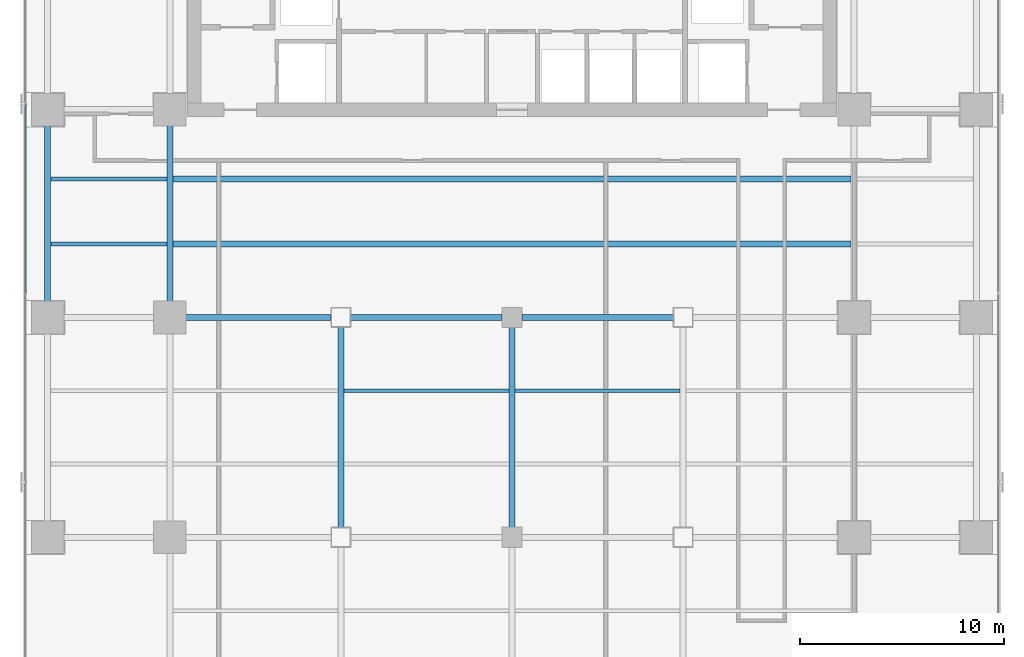
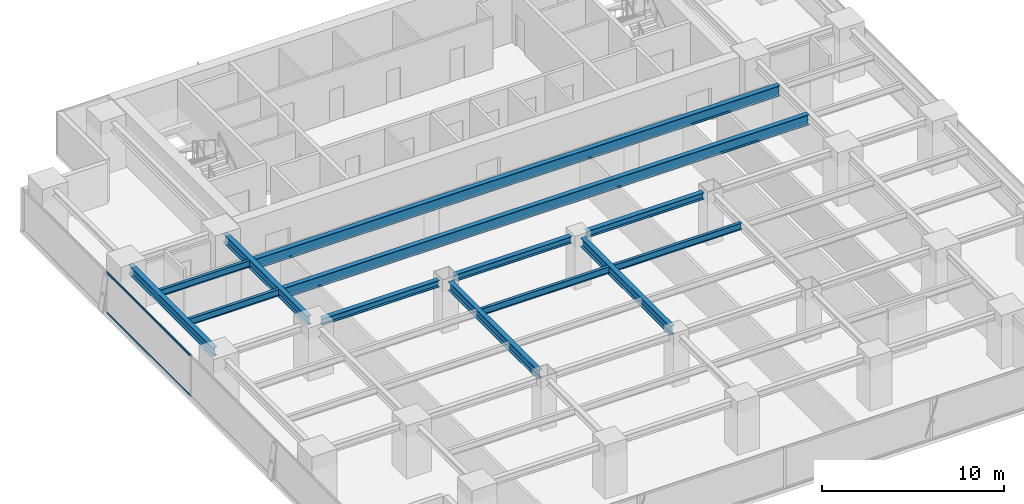
# One storey, part 8 of 27: 13 beams, 2 members, 1 element without a shape of its own.
"""IFC4 building model written with IfcOpenShell, lengths in metres."""

import ifcopenshell
import ifcopenshell.guid

model = None  # the IFC model being written
_history = None  # IfcOwnerHistory: only IFC2X3 demands one
_inside = {}  # id of a spatial element -> (the spatial element, [elements in it])
_under = {}  # id of a project, library or spatial element -> (it, [spatial elements below it])
_declared = {}  # id of a project -> (the project, [libraries it declares])
_typed = {}  # id of a type object -> (the type object, [elements of that type])
_made_of = {}  # id of a material, layer set ... -> (it, [elements and type objects made of it])


def new_model(schema):
    """Start an empty IFC model of exactly this schema.

    Asked for "IFC4X3", IfcOpenShell would pick the latest addendum, in which some entities
    have other attributes; the version numbers below select the first issue.
    IFC2X3 requires an IfcOwnerHistory on every rooted entity: one is made here for all.
    """
    global model, _history
    if schema == "IFC4X3":
        model = ifcopenshell.file(schema_version=(4, 3, 0, 0))
    else:
        model = ifcopenshell.file(schema=schema)
    _inside.clear()
    _under.clear()
    _declared.clear()
    _typed.clear()
    _made_of.clear()
    _history = None
    if model.schema == "IFC2X3":
        org = make("IfcOrganization", Name="unknown")
        user = make(
            "IfcPersonAndOrganization",
            ThePerson=make("IfcPerson", FamilyName="unknown"),
            TheOrganization=org,
        )
        app = make(
            "IfcApplication",
            ApplicationDeveloper=org,
            Version="unknown",
            ApplicationFullName="unknown",
            ApplicationIdentifier="unknown",
        )
        _history = make(
            "IfcOwnerHistory",
            OwningUser=user,
            OwningApplication=app,
            ChangeAction="ADDED",
            CreationDate=0,
        )
    return model


def make(cls, **values):
    """One entity of the class cls with the attributes given. An attribute that is None is left unset."""
    return model.create_entity(
        cls, **{name: value for name, value in values.items() if value is not None}
    )


def rooted(cls, **values):
    """An entity with a GlobalId (a new one), such as an element, a storey or a relation."""
    return make(cls, GlobalId=ifcopenshell.guid.new(), OwnerHistory=_history, **values)


def si_unit(unit_type, name, prefix=None):
    """IfcSIUnit, for example si_unit("LENGTHUNIT", "METRE", prefix="MILLI")."""
    return make("IfcSIUnit", UnitType=unit_type, Prefix=prefix, Name=name)


def assignment(units):
    """IfcUnitAssignment: the units of a project."""
    return None if units is None else make("IfcUnitAssignment", Units=units)


def point(xyz):
    """IfcCartesianPoint."""
    return None if xyz is None else make("IfcCartesianPoint", Coordinates=xyz)


def direction(xyz):
    """IfcDirection."""
    return None if xyz is None else make("IfcDirection", DirectionRatios=xyz)


def frame(location, z_axis=None, x_axis=None):
    """IfcAxis2Placement3D, a coordinate frame: its origin and axes. An axis left out is left unset."""
    return make(
        "IfcAxis2Placement3D",
        Location=point(location),
        Axis=direction(z_axis),
        RefDirection=direction(x_axis),
    )


def frame_2d(location, x_axis=None):
    """IfcAxis2Placement2D, a coordinate frame in the plane: its origin and x axis."""
    return make(
        "IfcAxis2Placement2D", Location=point(location), RefDirection=direction(x_axis)
    )


def origin():
    """The frame at (0, 0, 0) with its axes left unset."""
    return frame((0.0, 0.0, 0.0))


def origin_2d():
    """The frame at (0, 0) in the plane with its x axis left unset."""
    return frame_2d((0.0, 0.0))


def place(relative_to, where):
    """IfcLocalPlacement: puts the frame where relative to a parent placement (None: the world)."""
    return make(
        "IfcLocalPlacement", PlacementRelTo=relative_to, RelativePlacement=where
    )


def context(
    kind, dimensions, precision=None, world=None, true_north=None, identifier=None
):
    """IfcGeometricRepresentationContext, for example the 3D "Model" context."""
    return make(
        "IfcGeometricRepresentationContext",
        ContextIdentifier=identifier,
        ContextType=kind,
        CoordinateSpaceDimension=dimensions,
        Precision=precision,
        WorldCoordinateSystem=world,
        TrueNorth=true_north,
    )


def subcontext(parent, identifier, kind, view, scale=None):
    """IfcGeometricRepresentationSubContext, for example "Body" below "Model"."""
    return make(
        "IfcGeometricRepresentationSubContext",
        ContextIdentifier=identifier,
        ContextType=kind,
        ParentContext=parent,
        TargetScale=scale,
        TargetView=view,
    )


def project(units=None, contexts=None):
    """IfcProject with its units and contexts."""
    return rooted(
        "IfcProject",
        Name="project",
        RepresentationContexts=contexts,
        UnitsInContext=assignment(units),
    )


def spatial(cls, under=None, at=None, **own):
    """A site, building, storey or space (cls), placed at a placement, below another one or the project."""
    s = rooted(cls, ObjectPlacement=at, **own)
    if under is not None:
        _under.setdefault(under.id(), (under, []))[1].append(s)
    return s


def profile(cls, at=None, kind="AREA", **sizes):
    """A parametric profile (cls). Its sizes go by their IFC names, for example OverallWidth=200.0."""
    return make(cls, ProfileType=kind, Position=at, **sizes)


def hollow_rectangle(**sizes):
    """IfcRectangleHollowProfileDef."""
    return profile("IfcRectangleHollowProfileDef", **sizes)


def i_section(**sizes):
    """IfcIShapeProfileDef."""
    return profile("IfcIShapeProfileDef", **sizes)


def extrude(swept, where, along, depth):
    """IfcExtrudedAreaSolid: the profile swept, set in the frame where, extruded along a direction by depth."""
    return make(
        "IfcExtrudedAreaSolid",
        SweptArea=swept,
        Position=where,
        ExtrudedDirection=direction(along),
        Depth=depth,
    )


def shape(context_of_items, identifier, shape_type, items):
    """IfcShapeRepresentation: the items that make up one representation, for example the "Body"."""
    return make(
        "IfcShapeRepresentation",
        ContextOfItems=context_of_items,
        RepresentationIdentifier=identifier,
        RepresentationType=shape_type,
        Items=items,
    )


def source(mapping_origin, context_of_items, identifier, shape_type, items):
    """IfcRepresentationMap: a shape defined once, which mapped items show again and again."""
    return make(
        "IfcRepresentationMap",
        MappingOrigin=mapping_origin,
        MappedRepresentation=shape(context_of_items, identifier, shape_type, items),
    )


def transform(
    local_origin,
    x_axis=None,
    y_axis=None,
    z_axis=None,
    scale=None,
    scale2=None,
    scale3=None,
    uniform=True,
):
    """IfcCartesianTransformationOperator3D, or its non-uniform kind. x_axis, y_axis, z_axis: its Axis1, 2, 3."""
    if uniform:
        return make(
            "IfcCartesianTransformationOperator3D",
            Axis1=direction(x_axis),
            Axis2=direction(y_axis),
            LocalOrigin=point(local_origin),
            Scale=scale,
            Axis3=direction(z_axis),
        )
    return make(
        "IfcCartesianTransformationOperator3DnonUniform",
        Axis1=direction(x_axis),
        Axis2=direction(y_axis),
        LocalOrigin=point(local_origin),
        Scale=scale,
        Axis3=direction(z_axis),
        Scale2=scale2,
        Scale3=scale3,
    )


def mapped(mapping_source, mapping_target):
    """IfcMappedItem: shows the shape of a source again, moved by a transform."""
    return make(
        "IfcMappedItem", MappingSource=mapping_source, MappingTarget=mapping_target
    )


def material(Name=None, Category=None):
    """IfcMaterial."""
    return make("IfcMaterial", Name=Name, Category=Category)


def layer(
    of_material, thickness, ventilated=None, Name=None, Category=None, Priority=None
):
    """IfcMaterialLayer: one layer of a wall or slab, of a material (None: an air gap)."""
    return make(
        "IfcMaterialLayer",
        Material=of_material,
        LayerThickness=thickness,
        IsVentilated=ventilated,
        Name=Name,
        Category=Category,
        Priority=Priority,
    )


def layer_set(layers, Name=None):
    """IfcMaterialLayerSet."""
    return make("IfcMaterialLayerSet", MaterialLayers=layers, LayerSetName=Name)


def material_profile(
    of_material, cross_section, Name=None, Category=None, Priority=None
):
    """IfcMaterialProfile: a cross section and its material."""
    return make(
        "IfcMaterialProfile",
        Name=Name,
        Material=of_material,
        Profile=cross_section,
        Priority=Priority,
        Category=Category,
    )


def profile_set(profiles, Name=None, composite=None):
    """IfcMaterialProfileSet."""
    return make(
        "IfcMaterialProfileSet",
        Name=Name,
        MaterialProfiles=profiles,
        CompositeProfile=composite,
    )


def made_of(thing, what):
    """Note that an element or type object is made of a material, layer set ...; save() writes the relation."""
    if what is not None:
        _made_of.setdefault(what.id(), (what, []))[1].append(thing)
    return thing


def type_object(cls, material=None, **own):
    """A type object (cls), such as IfcWallType, which elements share."""
    return made_of(rooted(cls, **own), material)


def element(
    cls,
    number,
    at=None,
    inside=None,
    cuts=None,
    type_object=None,
    material=None,
    context=None,
    identifier="Body",
    shape_type=None,
    held_by="IfcProductDefinitionShape",
    body=None,
    shapes=None,
    **own,
):
    """One element of the class cls, such as IfcWall. Its Tag is "e" and its number.

    at: its placement. inside: the storey or other place that contains it. cuts: it is an
    opening in that element (IfcRelVoidsElement). A single representation is given by context,
    identifier, shape_type and body (its items); several are given by shapes. held_by: the class
    of the entity that holds the representations. save() writes the other relations.
    """
    e = rooted(cls, Tag="e%d" % number, ObjectPlacement=at, **own)
    if body is not None:
        shapes = [shape(context, identifier, shape_type, body)]
    if shapes is not None:
        e.Representation = make(held_by, Representations=shapes)
    if inside is not None:
        _inside.setdefault(inside.id(), (inside, []))[1].append(e)
    if cuts is not None:
        rooted(
            "IfcRelVoidsElement", RelatingBuildingElement=cuts, RelatedOpeningElement=e
        )
    if type_object is not None:
        _typed.setdefault(type_object.id(), (type_object, []))[1].append(e)
    return made_of(e, material)


def aggregate(whole, parts):
    """IfcRelAggregates: a whole, such as a stair, and the parts it consists of."""
    return rooted("IfcRelAggregates", RelatingObject=whole, RelatedObjects=parts)


def save(model, path):
    """Write the relations noted so far, then the file.

    IfcRelAggregates (storeys below a building ...), IfcRelContainedInSpatialStructure (elements
    in a storey), IfcRelDefinesByType, IfcRelAssociatesMaterial and IfcRelDeclares: one each for
    every whole, place, type object, material and project.
    """
    for whole, parts in _under.values():
        aggregate(whole, parts)
    for where, things in _inside.values():
        rooted(
            "IfcRelContainedInSpatialStructure",
            RelatedElements=things,
            RelatingStructure=where,
        )
    for kind, things in _typed.values():
        rooted("IfcRelDefinesByType", RelatedObjects=things, RelatingType=kind)
    for what, things in _made_of.values():
        rooted("IfcRelAssociatesMaterial", RelatedObjects=things, RelatingMaterial=what)
    for by, libraries in _declared.values():
        rooted("IfcRelDeclares", RelatingContext=by, RelatedDefinitions=libraries)
    model.write(path)


model = new_model("IFC4")

# Units and contexts
model_context = context("Model", 3, precision=1e-05, world=origin(), true_north=direction((0.0, 1.0)))
body_context = subcontext(model_context, "Body", "Model", "MODEL_VIEW")
ifc_project = project(units=[si_unit("LENGTHUNIT", "METRE"), si_unit("AREAUNIT", "SQUARE_METRE"), si_unit("VOLUMEUNIT", "CUBIC_METRE"), si_unit("PLANEANGLEUNIT", "RADIAN"), si_unit("MASSUNIT", "GRAM", prefix="KILO")], contexts=[model_context])

# Site, building, storey
site_placement = place(None, origin())
site = spatial("IfcSite", under=ifc_project, at=site_placement, CompositionType="ELEMENT")
building_placement = place(site_placement, origin())
building = spatial("IfcBuilding", under=site, at=building_placement, Name="Sumidabori Civic Tower", CompositionType="ELEMENT")
storey_placement = place(building_placement, frame((0.0, 0.0, 160.39990234375)))
storey = spatial("IfcBuildingStorey", under=building, at=storey_placement, Name="L41", CompositionType="ELEMENT", Elevation=160.39990234375)

# Beams
ifc_material_1 = material(Name="Steel SN490", Category="steel")
ifc_material_profile_1 = material_profile(ifc_material_1, i_section(OverallWidth=0.300048828125, OverallDepth=0.60009765625, WebThickness=0.015380859375, FlangeThickness=0.030029296875, at=origin_2d()), Name="HE 600 B")
ifc_profile_set_1 = profile_set([ifc_material_profile_1], Name="Steel SN490")
beam_type_1 = type_object("IfcBeamType", Name="BM-GIRD-600", PredefinedType="BEAM", material=ifc_profile_set_1)
shared_shape_1 = source(origin(), body_context, "Body", "SweptSolid", [
    extrude(i_section(OverallWidth=0.300048828125, OverallDepth=0.60009765625, WebThickness=0.015380859375, FlangeThickness=0.030029296875, at=origin_2d()), origin(), (0.0, 0.0, 1.0), 9.840087890625),
])
for number, where, z_axis, x_axis, name in (
    (1, (-8.39990234375, -10.320068359375, 3.080078125), (0.0, 1.0, 0.0), (-1.0, 0.0, 0.0), "Primary Girder L41 GY-27"),
    (2, (0.0, -10.320068359375, 3.080078125), (0.0, 1.0, 0.0), (-1.0, 0.0, 0.0), "Primary Girder L41 GY-29"),
):
    element("IfcBeam", number, at=place(storey_placement, frame(where, z_axis=z_axis, x_axis=x_axis)), inside=storey, type_object=beam_type_1, Name=name, PredefinedType="BEAM", context=body_context, shape_type="MappedRepresentation", body=[
        mapped(shared_shape_1, transform((0.0, 0.0, 0.0), x_axis=(1.0, 0.0, 0.0), y_axis=(0.0, 1.0, 0.0), z_axis=(0.0, 0.0, 1.0), scale=1.0)),
    ])
shared_shape_2 = source(origin(), body_context, "Body", "SweptSolid", [
    extrude(i_section(OverallWidth=0.300048828125, OverallDepth=0.60009765625, WebThickness=0.015380859375, FlangeThickness=0.030029296875, at=origin_2d()), origin(), (0.0, 0.0, 1.0), 9.239990234375),
])
for number, where, z_axis, x_axis, name in (
    (3, (-22.800048828125, 0.47998046875, 3.080078125), (0.0, 1.0, 0.0), (-1.0, 0.0, 0.0), "Primary Girder L41 GY-20"),
    (4, (-16.800048828125, 0.47998046875, 3.080078125), (0.0, 1.0, 0.0), (-1.0, 0.0, 0.0), "Primary Girder L41 GY-24"),
):
    element("IfcBeam", number, at=place(storey_placement, frame(where, z_axis=z_axis, x_axis=x_axis)), inside=storey, type_object=beam_type_1, Name=name, PredefinedType="BEAM", context=body_context, shape_type="MappedRepresentation", body=[
        mapped(shared_shape_2, transform((0.0, 0.0, 0.0), x_axis=(1.0, 0.0, 0.0), y_axis=(0.0, 1.0, 0.0), z_axis=(0.0, 0.0, 1.0), scale=1.0)),
    ])
ifc_material_profile_2 = material_profile(ifc_material_1, i_section(OverallWidth=0.300048828125, OverallDepth=0.699951171875, WebThickness=0.01708984375, FlangeThickness=0.031982421875, at=origin_2d()), Name="HE 700 B")
ifc_profile_set_2 = profile_set([ifc_material_profile_2], Name="Steel SN490")
beam_type_2 = type_object("IfcBeamType", Name="BM-GIRD-700", PredefinedType="BEAM", material=ifc_profile_set_2)
shared_shape_3 = source(origin(), body_context, "Body", "SweptSolid", [
    extrude(i_section(OverallWidth=0.300048828125, OverallDepth=0.699951171875, WebThickness=0.01708984375, FlangeThickness=0.031982421875, at=origin_2d()), origin(), (0.0, 0.0, 1.0), 33.2998046875),
])
for number, where, z_axis, x_axis, name in (
    (5, (-16.64990234375, 3.60009765625, 3.030029296875), (1.0, 0.0, 0.0), (0.0, 1.0, 0.0), "North Bay Floor Beam L41 JSTN-47"),
    (6, (-16.64990234375, 6.800048828125, 3.030029296875), (1.0, 0.0, 0.0), (0.0, 1.0, 0.0), "North Bay Floor Beam L41 JSTN-48"),
):
    element("IfcBeam", number, at=place(storey_placement, frame(where, z_axis=z_axis, x_axis=x_axis)), inside=storey, type_object=beam_type_2, Name=name, PredefinedType="BEAM", context=body_context, shape_type="MappedRepresentation", body=[
        mapped(shared_shape_3, transform((0.0, 0.0, 0.0), x_axis=(1.0, 0.0, 0.0), y_axis=(0.0, 1.0, 0.0), z_axis=(0.0, 0.0, 1.0), scale=1.0)),
    ])
ifc_material_profile_3 = material_profile(ifc_material_1, i_section(OverallWidth=0.18994140625, OverallDepth=0.449951171875, WebThickness=0.009521484375, FlangeThickness=0.0146484375, at=origin_2d()), Name="IPE 450")
ifc_profile_set_3 = profile_set([ifc_material_profile_3], Name="Steel SN490")
beam_type_3 = type_object("IfcBeamType", Name="BM-JST-450", PredefinedType="JOIST", material=ifc_profile_set_3)
shared_shape_4 = source(origin(), body_context, "Body", "SweptSolid", [
    extrude(i_section(OverallWidth=0.18994140625, OverallDepth=0.449951171875, WebThickness=0.009521484375, FlangeThickness=0.0146484375, at=origin_2d()), origin(), (0.0, 0.0, 1.0), 5.699951171875),
])
for number, where, z_axis, x_axis, name in (
    (7, (-22.64990234375, 3.60009765625, 3.155029296875), (1.0, 0.0, 0.0), (0.0, 1.0, 0.0), "Outer Bay Floor Joist L41 JSTO-43"),
    (8, (-22.64990234375, 6.800048828125, 3.155029296875), (1.0, 0.0, 0.0), (0.0, 1.0, 0.0), "Outer Bay Floor Joist L41 JSTO-45"),
):
    element("IfcBeam", number, at=place(storey_placement, frame(where, z_axis=z_axis, x_axis=x_axis)), inside=storey, type_object=beam_type_3, Name=name, PredefinedType="JOIST", context=body_context, shape_type="MappedRepresentation", body=[
        mapped(shared_shape_4, transform((0.0, 0.0, 0.0), x_axis=(1.0, 0.0, 0.0), y_axis=(0.0, 1.0, 0.0), z_axis=(0.0, 0.0, 1.0), scale=1.0)),
    ])
shared_shape_5 = source(origin(), body_context, "Body", "SweptSolid", [
    extrude(i_section(OverallWidth=0.18994140625, OverallDepth=0.449951171875, WebThickness=0.009521484375, FlangeThickness=0.0146484375, at=origin_2d()), origin(), (0.0, 0.0, 1.0), 8.10009765625),
])
for number, where, z_axis, x_axis, name in (
    (9, (-8.25, -3.60009765625, 3.155029296875), (1.0, 0.0, 0.0), (0.0, 1.0, 0.0), "South Bay Floor Joist L41 JSTS-58"),
    (10, (0.14990234375, -3.60009765625, 3.155029296875), (1.0, 0.0, 0.0), (0.0, 1.0, 0.0), "South Bay Floor Joist L41 JSTS-59"),
):
    element("IfcBeam", number, at=place(storey_placement, frame(where, z_axis=z_axis, x_axis=x_axis)), inside=storey, type_object=beam_type_3, Name=name, PredefinedType="JOIST", context=body_context, shape_type="MappedRepresentation", body=[
        mapped(shared_shape_5, transform((0.0, 0.0, 0.0), x_axis=(1.0, 0.0, 0.0), y_axis=(0.0, 1.0, 0.0), z_axis=(0.0, 0.0, 1.0), scale=1.0)),
    ])
ifc_material_profile_4 = material_profile(ifc_material_1, i_section(OverallWidth=0.300048828125, OverallDepth=0.449951171875, WebThickness=0.013916015625, FlangeThickness=0.02587890625, at=origin_2d()), Name="HE 450 B")
ifc_profile_set_4 = profile_set([ifc_material_profile_4], Name="Steel SN490")
beam_type_4 = type_object("IfcBeamType", Name="BM-GIRD-450", PredefinedType="BEAM", material=ifc_profile_set_4)
shared_shape_6 = source(origin(), body_context, "Body", "SweptSolid", [
    extrude(i_section(OverallWidth=0.300048828125, OverallDepth=0.449951171875, WebThickness=0.013916015625, FlangeThickness=0.02587890625, at=origin_2d()), origin(), (0.0, 0.0, 1.0), 7.440185546875),
])
beam_placement = place(storey_placement, frame((-16.320068359375, 0.0, 3.155029296875), z_axis=(1.0, 0.0, 0.0), x_axis=(0.0, 1.0, 0.0)))
element("IfcBeam", 11, at=beam_placement, inside=storey, type_object=beam_type_4, Name="Primary Girder L41 GX-12", PredefinedType="BEAM", context=body_context, shape_type="MappedRepresentation", body=[
    mapped(shared_shape_6, transform((0.0, 0.0, 0.0), x_axis=(1.0, 0.0, 0.0), y_axis=(0.0, 1.0, 0.0), z_axis=(0.0, 0.0, 1.0), scale=1.0)),
])
shared_shape_7 = source(origin(), body_context, "Body", "SweptSolid", [
    extrude(i_section(OverallWidth=0.300048828125, OverallDepth=0.449951171875, WebThickness=0.013916015625, FlangeThickness=0.02587890625, at=origin_2d()), origin(), (0.0, 0.0, 1.0), 7.43994140625),
])
for number, where, z_axis, x_axis, name in (
    (12, (-7.919921875, 0.0, 3.155029296875), (1.0, 0.0, 0.0), (0.0, 1.0, 0.0), "Primary Girder L41 GX-13"),
    (13, (0.47998046875, 0.0, 3.155029296875), (1.0, 0.0, 0.0), (0.0, 1.0, 0.0), "Primary Girder L41 GX-14"),
):
    element("IfcBeam", number, at=place(storey_placement, frame(where, z_axis=z_axis, x_axis=x_axis)), inside=storey, type_object=beam_type_4, Name=name, PredefinedType="BEAM", context=body_context, shape_type="MappedRepresentation", body=[
        mapped(shared_shape_7, transform((0.0, 0.0, 0.0), x_axis=(1.0, 0.0, 0.0), y_axis=(0.0, 1.0, 0.0), z_axis=(0.0, 0.0, 1.0), scale=1.0)),
    ])

# Curtain wall, members
ifc_material_2 = material(Name="Anodised Bronze Aluminium AW-6063-T6", Category="aluminium")
ifc_layer = layer(ifc_material_2, 0.179931640625, Name="Anodised Bronze Aluminium AW-6063-T6")
ifc_layer_set = layer_set([ifc_layer], Name="Anodised Bronze Aluminium AW-6063-T6")
curtain_wall_type = type_object("IfcCurtainWallType", Name="CW-SYS-3", PredefinedType="NOTDEFINED", material=ifc_layer_set)
curtain_wall_placement = place(storey_placement, origin())
curtain_wall = element("IfcCurtainWall", 14, at=curtain_wall_placement, inside=storey, type_object=curtain_wall_type, Name="Curtain Wall CW:L41:R10", PredefinedType="NOTDEFINED")
ifc_material_profile_5 = material_profile(ifc_material_2, hollow_rectangle(XDim=0.06005859375, YDim=0.1298828125, WallThickness=0.0048828125, at=origin_2d()), Name="ALU TRANSOM 130x60")
ifc_profile_set_5 = profile_set([ifc_material_profile_5], Name="Anodised Bronze Aluminium AW-6063-T6")
member_type = type_object("IfcMemberType", Name="CW-TRN-130", PredefinedType="USERDEFINED", material=ifc_profile_set_5)
shared_shape_8 = source(origin(), body_context, "Body", "SweptSolid", [
    extrude(hollow_rectangle(XDim=0.06005859375, YDim=0.1298828125, WallThickness=0.0048828125, at=origin_2d()), origin(), (0.0, 0.0, 1.0), 9.219970703125),
])
member_1_placement = place(storey_placement, frame((-23.8798828125, 10.452392578125, 0.030029296875), z_axis=(0.0, -1.0, 0.0), x_axis=(1.0, 0.0, 0.0)))
member_1 = element("IfcMember", 15, at=member_1_placement, type_object=member_type, Name="CW-3 transom 2.1", ObjectType="TRANSOM", PredefinedType="USERDEFINED", context=body_context, shape_type="MappedRepresentation", body=[
    mapped(shared_shape_8, transform((0.0, 0.0, 0.0), x_axis=(1.0, 0.0, 0.0), y_axis=(0.0, 1.0, 0.0), z_axis=(0.0, 0.0, 1.0), scale=1.0)),
])
member_2_placement = place(storey_placement, frame((-23.8798828125, 10.452392578125, 2.72998046875), z_axis=(0.0, -1.0, 0.0), x_axis=(1.0, 0.0, 0.0)))
member_2 = element("IfcMember", 16, at=member_2_placement, type_object=member_type, Name="CW-3 transom 2.2", ObjectType="TRANSOM", PredefinedType="USERDEFINED", context=body_context, shape_type="MappedRepresentation", body=[
    mapped(shared_shape_8, transform((0.0, 0.0, 0.0), x_axis=(1.0, 0.0, 0.0), y_axis=(0.0, 1.0, 0.0), z_axis=(0.0, 0.0, 1.0), scale=1.0)),
])
aggregate(curtain_wall, [member_1, member_2])

save(model, "model.ifc")
